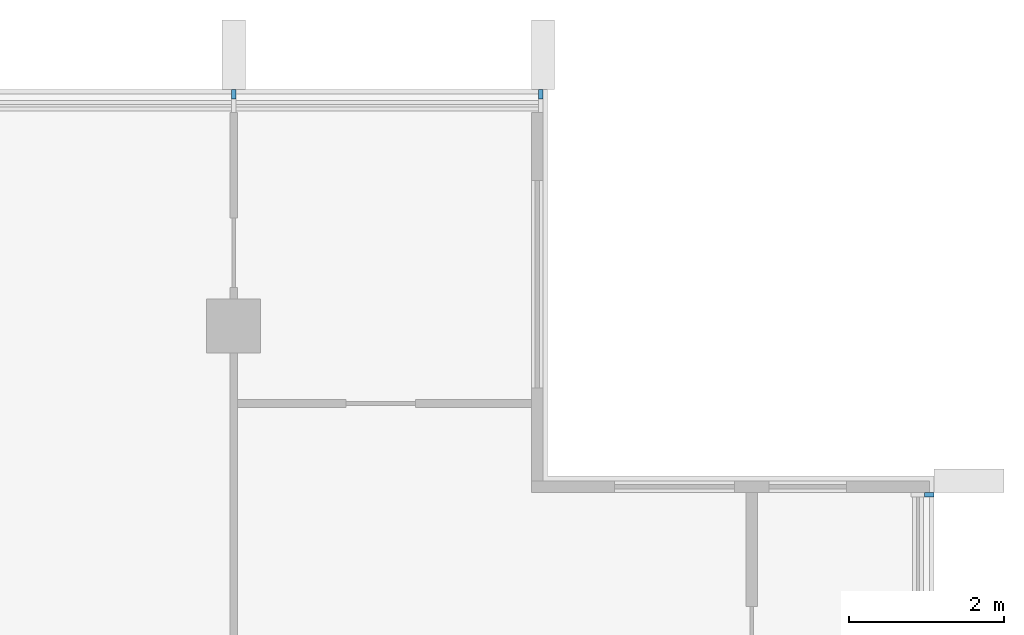
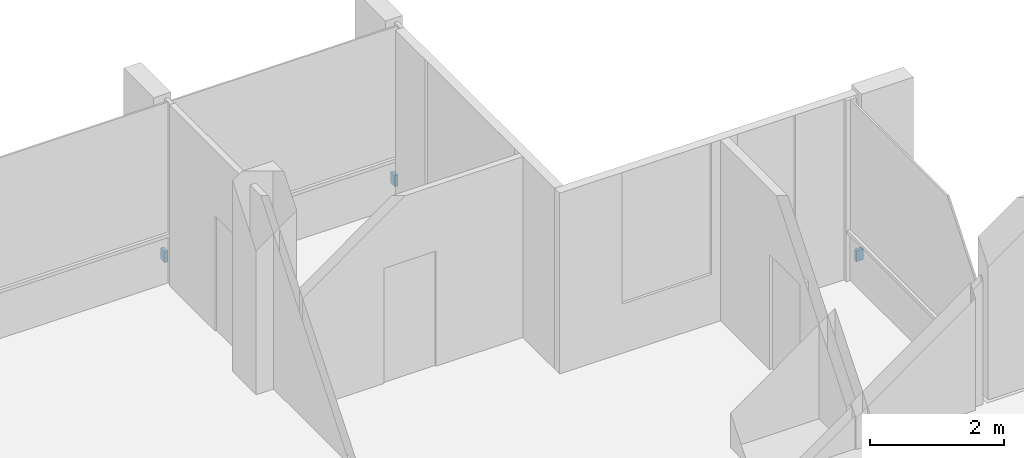
# One storey, part 15 of 16: 3 discrete accessories.
"""IFC4 building model written with IfcOpenShell, lengths in metres."""

from ifc_helpers import new_model, si_unit, direction, frame, origin, origin_2d, place, context, subcontext, project, spatial, rectangle, extrude, material, type_object, element, save


model = new_model("IFC4")

# Units and contexts
model_context = context("Model", 3, precision=1e-05, world=origin(), true_north=direction((0.0, 1.0)))
body_context = subcontext(model_context, "Body", "Model", "MODEL_VIEW")
ifc_project = project(units=[si_unit("LENGTHUNIT", "METRE"), si_unit("AREAUNIT", "SQUARE_METRE"), si_unit("VOLUMEUNIT", "CUBIC_METRE"), si_unit("PLANEANGLEUNIT", "RADIAN"), si_unit("MASSUNIT", "GRAM", prefix="KILO")], contexts=[model_context])

# Site, building, storey
site_placement = place(None, origin())
site = spatial("IfcSite", under=ifc_project, at=site_placement, CompositionType="ELEMENT")
building_placement = place(site_placement, origin())
building = spatial("IfcBuilding", under=site, at=building_placement, Name="Finial Court Residences", CompositionType="ELEMENT")
storey_placement = place(building_placement, frame((0.0, 0.0, 287.89990234375)))
storey = spatial("IfcBuildingStorey", under=building, at=storey_placement, Name="L73", CompositionType="ELEMENT", Elevation=287.89990234375)

# Discrete accessories
ifc_material = material(Name="Stainless steel 316", Category="steel")
discrete_accessory_type = type_object("IfcDiscreteAccessoryType", Name="Fin bracket, stainless steel 60 x 122 x 200", PredefinedType="BRACKET", material=ifc_material)
for number, where, z_axis, x_axis, name in (
    (1, (10.5, 16.498779296875, 0.30029296875), (0.0, 0.0, 1.0), (1.0, 0.0, 0.0), "E-L73-FIN-N5-BRK"),
    (2, (14.469970703125, 16.498779296875, 0.30029296875), (0.0, 0.0, 1.0), (1.0, 0.0, 0.0), "E-L73-FIN-N6-BRK"),
):
    element("IfcDiscreteAccessory", number, at=place(storey_placement, frame(where, z_axis=z_axis, x_axis=x_axis)), inside=storey, type_object=discrete_accessory_type, Name=name, PredefinedType="BRACKET", context=body_context, shape_type="SweptSolid", body=[
        extrude(rectangle(XDim=0.06005859375, YDim=0.12255859375, at=origin_2d()), origin(), (0.0, 0.0, 1.0), 0.199951171875),
    ])
discrete_accessory_placement = place(storey_placement, frame((19.498779296875, 11.320068359375, 0.30029296875), z_axis=(0.0, 0.0, 1.0), x_axis=(1.0, 0.0, 0.0)))
element("IfcDiscreteAccessory", 3, at=discrete_accessory_placement, inside=storey, type_object=discrete_accessory_type, Name="E-L73-FIN-E12-BRK", PredefinedType="BRACKET", context=body_context, shape_type="SweptSolid", body=[
    extrude(rectangle(XDim=0.12255859375, YDim=0.06005859375, at=origin_2d()), origin(), (0.0, 0.0, 1.0), 0.199951171875),
])

save(model, "model.ifc")
